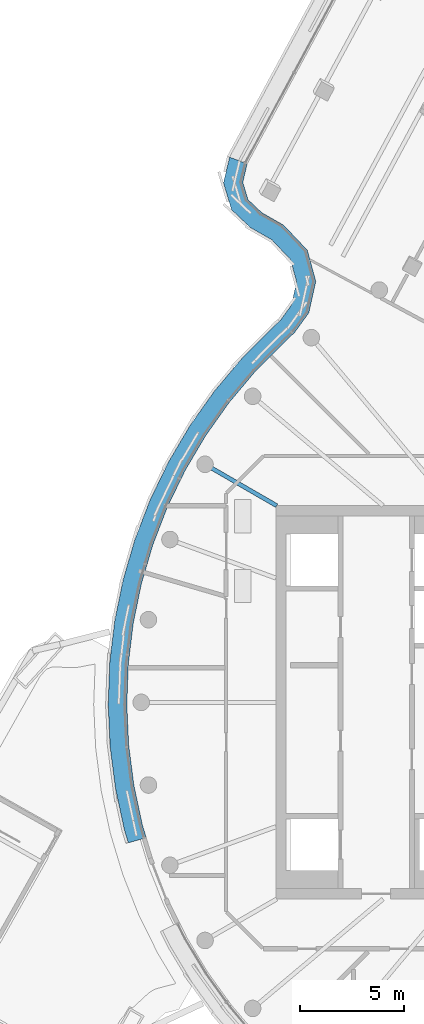
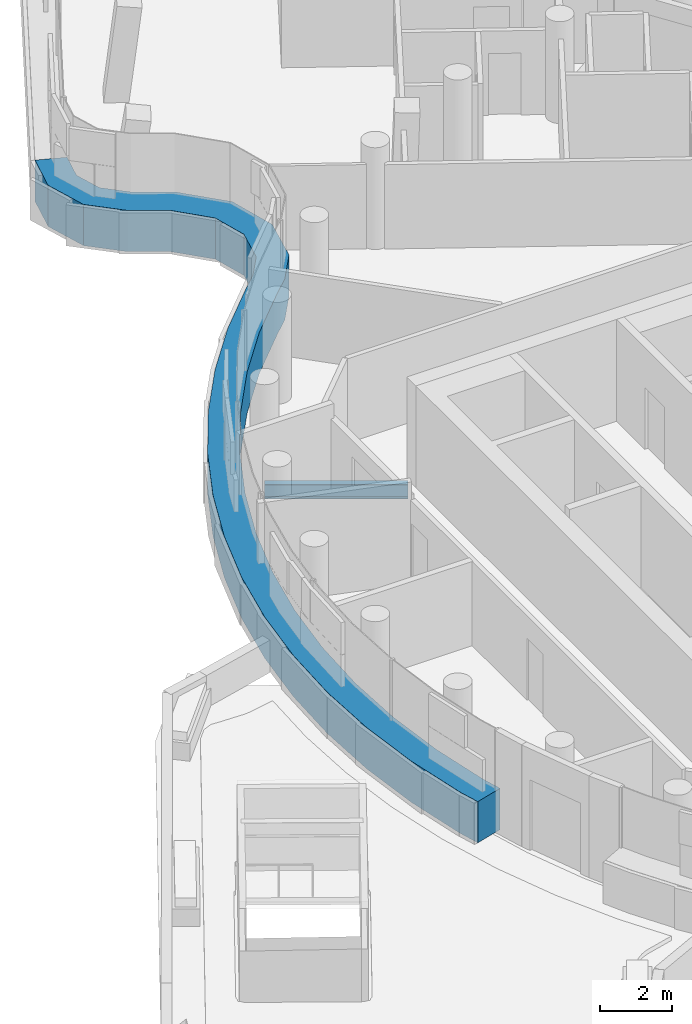
# One storey, part 8 of 22: 1 beam, 1 member, 1 element without a shape of its own.
"""IFC4 building model written with IfcOpenShell, lengths in metres."""

from ifc_helpers import new_model, si_unit, direction, frame, origin, origin_2d, place, context, subcontext, project, spatial, polyline, i_section, outline, extrude, material, layer, layer_set, material_profile, profile_set, type_object, element, aggregate, save


model = new_model("IFC4")

# Units and contexts
model_context = context("Model", 3, precision=1e-05, world=origin(), true_north=direction((0.0, 1.0)))
body_context = subcontext(model_context, "Body", "Model", "MODEL_VIEW")
ifc_project = project(units=[si_unit("LENGTHUNIT", "METRE"), si_unit("AREAUNIT", "SQUARE_METRE"), si_unit("VOLUMEUNIT", "CUBIC_METRE"), si_unit("PLANEANGLEUNIT", "RADIAN"), si_unit("MASSUNIT", "GRAM", prefix="KILO")], contexts=[model_context])

# Site, building, storey
site_placement = place(None, origin())
site = spatial("IfcSite", under=ifc_project, at=site_placement, CompositionType="ELEMENT")
building_placement = place(site_placement, origin())
building = spatial("IfcBuilding", under=site, at=building_placement, Name="Tamarind Cross Interchange Tower", CompositionType="ELEMENT")
storey_placement = place(building_placement, frame((0.0, 0.0, 256.800048828125)))
storey = spatial("IfcBuildingStorey", under=building, at=storey_placement, Name="L65", CompositionType="ELEMENT", Elevation=256.800048828125)

# Beam
ifc_material_1 = material(Name="Steel Q355B", Category="steel")
ifc_material_profile = material_profile(ifc_material_1, i_section(OverallWidth=0.198974609375, OverallDepth=0.49609375, WebThickness=0.009033203125, FlangeThickness=0.013916015625, FilletRadius=0.012939453125, at=origin_2d()), Name="HN 496x199x9x14")
ifc_profile_set = profile_set([ifc_material_profile], Name="Steel Q355B")
beam_type = type_object("IfcBeamType", Name="Composite beam HN 496x199x9x14 Q355B", PredefinedType="BEAM", material=ifc_profile_set)
beam_placement = place(storey_placement, frame((-19.918701171875, 11.5, -0.387939453125), z_axis=(0.866026010844, -0.49999894854, 0.0), x_axis=(0.49999894854, 0.866026010844, 0.0)))
element("IfcBeam", 1, at=beam_placement, inside=storey, type_object=beam_type, Name="Beam HH15", PredefinedType="BEAM", context=body_context, shape_type="SweptSolid", body=[
    extrude(i_section(OverallWidth=0.198974609375, OverallDepth=0.49609375, WebThickness=0.009033203125, FlangeThickness=0.013916015625, FilletRadius=0.012939453125, at=origin_2d()), origin(), (0.0, 0.0, 1.0), 4.0),
])

# Curtain wall, member
ifc_material_2 = material(Name="Aluminium 6063-T6", Category="aluminium")
ifc_layer = layer(ifc_material_2, 0.14990234375)
ifc_layer_set = layer_set([ifc_layer], Name="Aluminium 6063-T6")
curtain_wall_type = type_object("IfcCurtainWallType", Name="Winter garden and crown curtain wall", PredefinedType="NOTDEFINED", material=ifc_layer_set)
curtain_wall_placement = place(storey_placement, origin())
curtain_wall = element("IfcCurtainWall", 2, at=curtain_wall_placement, inside=storey, type_object=curtain_wall_type, Name="CWS-L65-01", PredefinedType="NOTDEFINED")
ifc_material_3 = material(Name="Aluminium and insulated spandrel panel", Category="aluminium")
member_type = type_object("IfcMemberType", Name="Floor-edge blade transom", PredefinedType="USERDEFINED", material=ifc_material_3)
member_placement = place(storey_placement, origin())
member = element("IfcMember", 3, at=member_placement, type_object=member_type, Name="CWT-L65-01-0", ObjectType="TRANSOM", PredefinedType="USERDEFINED", context=body_context, shape_type="SweptSolid", body=[
    extrude(outline(polyline([(-17.882568359375, 26.0146484375), (-18.093994140625, 25.1240234375), (-17.843505859375, 24.2861328125), (-17.17529296875, 23.6552734375), (-16.124267578125, 23.054443359375), (-14.980712890625, 21.8486328125), (-14.5673828125, 20.334228515625), (-14.90625, 18.815673828125), (-15.589599609375, 17.868408203125), (-16.118408203125, 17.36962890625), (-17.50244140625, 15.973388671875), (-18.76171875, 14.4736328125), (-19.892822265625, 12.874755859375), (-20.88818359375, 11.188232421875), (-21.74072265625, 9.425048828125), (-22.444580078125, 7.597412109375), (-22.995361328125, 5.718017578125), (-23.38916015625, 3.799560546875), (-23.623046875, 1.855224609375), (-23.695556640625, -0.10205078125), (-23.606201171875, -2.058349609375), (-23.35546875, -4.000732421875), (-22.9453125, -5.915771484375), (-22.75732421875, -6.537353515625), (-23.62255859375, -6.785888671875), (-23.817626953125, -6.140625), (-24.243408203125, -4.15283203125), (-24.50341796875, -2.13671875), (-24.59619140625, -0.10595703125), (-24.52099609375, 1.925537109375), (-24.2783203125, 3.944091796875), (-23.86962890625, 5.935302734375), (-23.2978515625, 7.88623046875), (-22.567138671875, 9.783203125), (-21.68212890625, 11.613525390625), (-20.64892578125, 13.3642578125), (-19.474853515625, 15.023681640625), (-18.167724609375, 16.580810546875), (-16.746826171875, 18.013916015625), (-16.26953125, 18.46435546875), (-15.744384765625, 19.192138671875), (-15.494384765625, 20.3125), (-15.789306640625, 21.3935546875), (-16.68603515625, 22.3388671875), (-17.715087890625, 22.92724609375), (-18.63671875, 23.79736328125), (-19.025390625, 25.097412109375), (-18.730712890625, 26.337890625), (-17.882568359375, 26.0146484375)])), origin(), (0.0, 0.0, 1.0), 1.39990234375),
])
aggregate(curtain_wall, [member])

save(model, "model.ifc")
